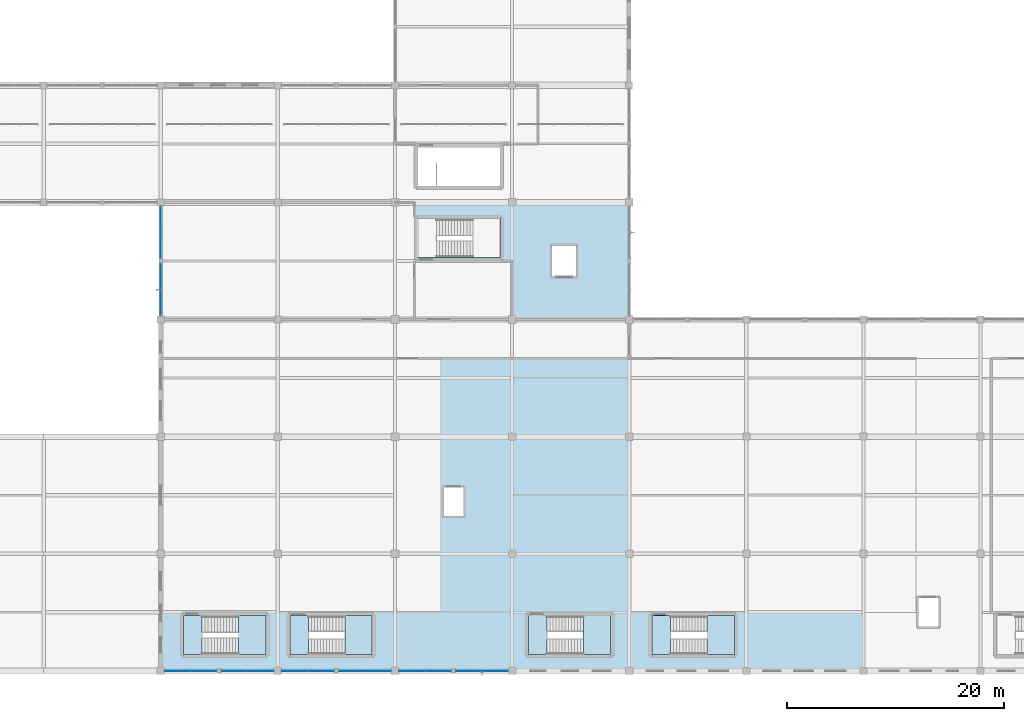
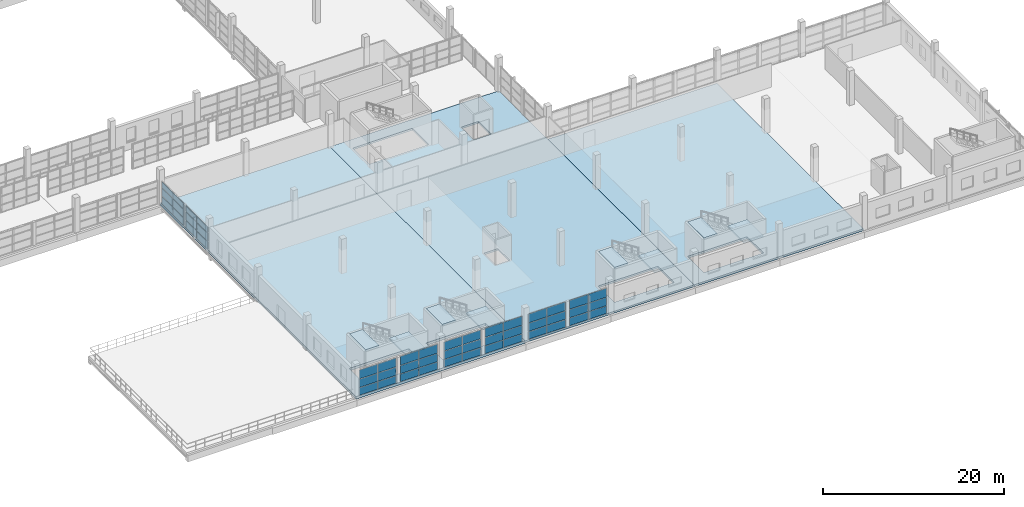
# One storey, part 95 of 142: 48 plates, 11 slabs, 12 elements without a shape of their own.
"""IFC4 building model written with IfcOpenShell, lengths in metres."""

from ifc_helpers import new_model, si_unit, direction, frame, origin, origin_2d, place, context, subcontext, project, spatial, polyline, rectangle, outline, extrude, material, layer, layer_set, type_object, element, aggregate, save


model = new_model("IFC4")

# Units and contexts
model_context = context("Model", 3, precision=1e-05, world=origin(), true_north=direction((0.0, 1.0)))
body_context = subcontext(model_context, "Body", "Model", "MODEL_VIEW")
ifc_project = project(units=[si_unit("LENGTHUNIT", "METRE"), si_unit("AREAUNIT", "SQUARE_METRE"), si_unit("VOLUMEUNIT", "CUBIC_METRE"), si_unit("PLANEANGLEUNIT", "RADIAN"), si_unit("MASSUNIT", "GRAM", prefix="KILO")], contexts=[model_context])

# Site, building, storey
site_placement = place(None, origin())
site = spatial("IfcSite", under=ifc_project, at=site_placement, CompositionType="ELEMENT")
building_placement = place(site_placement, origin())
building = spatial("IfcBuilding", under=site, at=building_placement, Name="Zwinboog Wholesale Market", CompositionType="ELEMENT")
storey_placement = place(building_placement, frame((0.0, 0.0, 5.39990234375)))
storey = spatial("IfcBuildingStorey", under=building, at=storey_placement, Name="L01", CompositionType="ELEMENT", Elevation=5.39990234375)

# Slabs
ifc_material_1 = material(Name="Precast concrete C45/55", Category="concrete")
ifc_layer_1 = layer(ifc_material_1, 0.2548828125)
ifc_layer_set_1 = layer_set([ifc_layer_1], Name="Precast concrete C45/55")
slab_type_1 = type_object("IfcSlabType", Name="SLT-FL-255", PredefinedType="FLOOR", material=ifc_layer_set_1)
slab_1_placement = place(storey_placement, frame((0.0, 0.0, -0.2548828125)))
element("IfcSlab", 1, at=slab_1_placement, inside=storey, type_object=slab_type_1, Name="SF-255 (SLB-L01-051)", PredefinedType="FLOOR", context=body_context, shape_type="SweptSolid", body=[
    extrude(outline(polyline([(151.199951171875, 0.0), (172.800048828125, 0.0), (172.800048828125, 43.199951171875), (151.199951171875, 43.199951171875), (151.199951171875, 0.0)]), holes=[polyline([(163.5, 1.5), (171.10009765625, 1.5), (171.10009765625, 5.10009765625), (163.5, 5.10009765625), (163.5, 1.5)]), polyline([(153.300048828125, 38.10009765625), (160.89990234375, 38.10009765625), (160.89990234375, 41.699951171875), (153.300048828125, 41.699951171875), (153.300048828125, 38.10009765625)]), polyline([(155.699951171875, 14.300048828125), (157.5, 14.300048828125), (157.5, 16.89990234375), (155.699951171875, 16.89990234375), (155.699951171875, 14.300048828125)]), polyline([(165.699951171875, 36.39990234375), (167.89990234375, 36.39990234375), (167.89990234375, 39.199951171875), (165.699951171875, 39.199951171875), (165.699951171875, 36.39990234375)])]), origin(), (0.0, 0.0, 1.0), 0.2548828125),
])
ifc_layer_2 = layer(ifc_material_1, 0.280029296875)
ifc_layer_set_2 = layer_set([ifc_layer_2], Name="Precast concrete C45/55")
slab_type_2 = type_object("IfcSlabType", Name="SLT-FL-280", PredefinedType="FLOOR", material=ifc_layer_set_2)
slab_2_placement = place(storey_placement, frame((0.0, 0.0, -0.27978515625)))
element("IfcSlab", 2, at=slab_2_placement, inside=storey, type_object=slab_type_2, Name="SF-280 (SLB-L01-048)", PredefinedType="FLOOR", context=body_context, shape_type="SweptSolid", body=[
    extrude(outline(polyline([(172.800048828125, 0.0), (194.39990234375, 0.0), (194.39990234375, 32.39990234375), (172.800048828125, 32.39990234375), (172.800048828125, 0.0)]), holes=[polyline([(174.89990234375, 1.5), (182.5, 1.5), (182.5, 5.10009765625), (174.89990234375, 5.10009765625), (174.89990234375, 1.5)])]), origin(), (0.0, 0.0, 1.0), 0.27978515625),
])
ifc_layer_3 = layer(ifc_material_1, 0.33203125)
ifc_layer_set_3 = layer_set([ifc_layer_3], Name="Precast concrete C45/55")
slab_type_3 = type_object("IfcSlabType", Name="SLT-FL-332", PredefinedType="FLOOR", material=ifc_layer_set_3)
slab_3_placement = place(storey_placement, frame((0.0, 0.0, -0.331787109375)))
element("IfcSlab", 3, at=slab_3_placement, inside=storey, type_object=slab_type_3, Name="SF-332 (SLB-L01-050)", PredefinedType="FLOOR", context=body_context, shape_type="SweptSolid", body=[
    extrude(outline(polyline([(129.60009765625, 0.0), (151.199951171875, 0.0), (151.199951171875, 43.199951171875), (129.60009765625, 43.199951171875), (129.60009765625, 0.0)]), holes=[polyline([(131.699951171875, 1.5), (139.300048828125, 1.5), (139.300048828125, 5.10009765625), (131.699951171875, 5.10009765625), (131.699951171875, 1.5)]), polyline([(141.5, 1.5), (149.10009765625, 1.5), (149.10009765625, 5.10009765625), (141.5, 5.10009765625), (141.5, 1.5)])]), origin(), (0.0, 0.0, 1.0), 0.331787109375),
])

# Curtain wall, plates
ifc_material_2 = material(Name="Aluminium thermally broken curtain wall", Category="aluminium")
curtain_wall_type_1 = type_object("IfcCurtainWallType", Name="CWT-STALL-18", PredefinedType="USERDEFINED", material=ifc_material_2)
curtain_wall_1_placement = place(storey_placement, origin())
curtain_wall_1 = element("IfcCurtainWall", 4, at=curtain_wall_1_placement, inside=storey, type_object=curtain_wall_type_1, Name="CW-01 (CW-L01-115)", ObjectType="STOREFRONT_GLAZING", PredefinedType="USERDEFINED")
ifc_material_3 = material(Name="Double low-e insulated glazing", Category="glass")
ifc_layer_4 = layer(ifc_material_3, 0.031982421875)
ifc_layer_set_4 = layer_set([ifc_layer_4], Name="Double low-e insulated glazing")
plate_type = type_object("IfcPlateType", Name="CWP-IGU-32", PredefinedType="CURTAIN_PANEL", material=ifc_layer_set_4)
plate_1_placement = place(storey_placement, frame((131.175048828125, 0.0, 0.065185546875), z_axis=(0.0, 0.0, 1.0), x_axis=(1.0, 0.0, 0.0)))
plate_1 = element("IfcPlate", 5, at=plate_1_placement, type_object=plate_type, Name="CW-01 panel 1.1", PredefinedType="CURTAIN_PANEL", context=body_context, shape_type="SweptSolid", body=[
    extrude(rectangle(XDim=2.330078125, YDim=0.031982421875, at=origin_2d()), origin(), (0.0, 0.0, 1.0), 1.00244140625),
])
plate_2_placement = place(storey_placement, frame((131.175048828125, 0.0, 1.132568359375), z_axis=(0.0, 0.0, 1.0), x_axis=(1.0, 0.0, 0.0)))
plate_2 = element("IfcPlate", 6, at=plate_2_placement, type_object=plate_type, Name="CW-01 panel 1.2", PredefinedType="CURTAIN_PANEL", context=body_context, shape_type="SweptSolid", body=[
    extrude(rectangle(XDim=2.330078125, YDim=0.031982421875, at=origin_2d()), origin(), (0.0, 0.0, 1.0), 1.0849609375),
])
plate_3_placement = place(storey_placement, frame((131.175048828125, 0.0, 2.282470703125), z_axis=(0.0, 0.0, 1.0), x_axis=(1.0, 0.0, 0.0)))
plate_3 = element("IfcPlate", 7, at=plate_3_placement, type_object=plate_type, Name="CW-01 panel 1.3", PredefinedType="CURTAIN_PANEL", context=body_context, shape_type="SweptSolid", body=[
    extrude(rectangle(XDim=2.330078125, YDim=0.031982421875, at=origin_2d()), origin(), (0.0, 0.0, 1.0), 1.1826171875),
])
plate_4_placement = place(storey_placement, frame((133.570068359375, 0.0, 0.065185546875), z_axis=(0.0, 0.0, 1.0), x_axis=(1.0, 0.0, 0.0)))
plate_4 = element("IfcPlate", 8, at=plate_4_placement, type_object=plate_type, Name="CW-01 panel 2.1", PredefinedType="CURTAIN_PANEL", context=body_context, shape_type="SweptSolid", body=[
    extrude(rectangle(XDim=2.330078125, YDim=0.031982421875, at=origin_2d()), origin(), (0.0, 0.0, 1.0), 1.00244140625),
])
plate_5_placement = place(storey_placement, frame((133.570068359375, 0.0, 1.132568359375), z_axis=(0.0, 0.0, 1.0), x_axis=(1.0, 0.0, 0.0)))
plate_5 = element("IfcPlate", 9, at=plate_5_placement, type_object=plate_type, Name="CW-01 panel 2.2", PredefinedType="CURTAIN_PANEL", context=body_context, shape_type="SweptSolid", body=[
    extrude(rectangle(XDim=2.330078125, YDim=0.031982421875, at=origin_2d()), origin(), (0.0, 0.0, 1.0), 1.0849609375),
])
plate_6_placement = place(storey_placement, frame((133.570068359375, 0.0, 2.282470703125), z_axis=(0.0, 0.0, 1.0), x_axis=(1.0, 0.0, 0.0)))
plate_6 = element("IfcPlate", 10, at=plate_6_placement, type_object=plate_type, Name="CW-01 panel 2.3", PredefinedType="CURTAIN_PANEL", context=body_context, shape_type="SweptSolid", body=[
    extrude(rectangle(XDim=2.330078125, YDim=0.031982421875, at=origin_2d()), origin(), (0.0, 0.0, 1.0), 1.1826171875),
])
aggregate(curtain_wall_1, [plate_1, plate_2, plate_3, plate_4, plate_5, plate_6])

curtain_wall_type_2 = type_object("IfcCurtainWallType", Name="CWT-STALL-20", PredefinedType="USERDEFINED", material=ifc_material_2)
curtain_wall_2_placement = place(storey_placement, origin())
curtain_wall_2 = element("IfcCurtainWall", 11, at=curtain_wall_2_placement, inside=storey, type_object=curtain_wall_type_2, Name="CW-02 (CW-L01-116)", ObjectType="STOREFRONT_GLAZING", PredefinedType="USERDEFINED")
plate_7_placement = place(storey_placement, frame((136.4287109375, 0.0, 0.06005859375), z_axis=(0.0, 0.0, 1.0), x_axis=(1.0, 0.0, 0.0)))
plate_7 = element("IfcPlate", 12, at=plate_7_placement, type_object=plate_type, Name="CW-02 panel 1.1", PredefinedType="CURTAIN_PANEL", context=body_context, shape_type="SweptSolid", body=[
    extrude(rectangle(XDim=2.33740234375, YDim=0.031982421875, at=origin_2d()), origin(), (0.0, 0.0, 1.0), 1.010009765625),
])
plate_8_placement = place(storey_placement, frame((136.4287109375, 0.0, 1.1298828125), z_axis=(0.0, 0.0, 1.0), x_axis=(1.0, 0.0, 0.0)))
plate_8 = element("IfcPlate", 13, at=plate_8_placement, type_object=plate_type, Name="CW-02 panel 1.2", PredefinedType="CURTAIN_PANEL", context=body_context, shape_type="SweptSolid", body=[
    extrude(rectangle(XDim=2.33740234375, YDim=0.031982421875, at=origin_2d()), origin(), (0.0, 0.0, 1.0), 1.090087890625),
])
plate_9_placement = place(storey_placement, frame((136.4287109375, 0.0, 2.280029296875), z_axis=(0.0, 0.0, 1.0), x_axis=(1.0, 0.0, 0.0)))
plate_9 = element("IfcPlate", 14, at=plate_9_placement, type_object=plate_type, Name="CW-02 panel 1.3", PredefinedType="CURTAIN_PANEL", context=body_context, shape_type="SweptSolid", body=[
    extrude(rectangle(XDim=2.33740234375, YDim=0.031982421875, at=origin_2d()), origin(), (0.0, 0.0, 1.0), 1.18994140625),
])
plate_10_placement = place(storey_placement, frame((138.826171875, 0.0, 0.06005859375), z_axis=(0.0, 0.0, 1.0), x_axis=(1.0, 0.0, 0.0)))
plate_10 = element("IfcPlate", 15, at=plate_10_placement, type_object=plate_type, Name="CW-02 panel 2.1", PredefinedType="CURTAIN_PANEL", context=body_context, shape_type="SweptSolid", body=[
    extrude(rectangle(XDim=2.33740234375, YDim=0.031982421875, at=origin_2d()), origin(), (0.0, 0.0, 1.0), 1.010009765625),
])
plate_11_placement = place(storey_placement, frame((138.826171875, 0.0, 1.1298828125), z_axis=(0.0, 0.0, 1.0), x_axis=(1.0, 0.0, 0.0)))
plate_11 = element("IfcPlate", 16, at=plate_11_placement, type_object=plate_type, Name="CW-02 panel 2.2", PredefinedType="CURTAIN_PANEL", context=body_context, shape_type="SweptSolid", body=[
    extrude(rectangle(XDim=2.33740234375, YDim=0.031982421875, at=origin_2d()), origin(), (0.0, 0.0, 1.0), 1.090087890625),
])
plate_12_placement = place(storey_placement, frame((138.826171875, 0.0, 2.280029296875), z_axis=(0.0, 0.0, 1.0), x_axis=(1.0, 0.0, 0.0)))
plate_12 = element("IfcPlate", 17, at=plate_12_placement, type_object=plate_type, Name="CW-02 panel 2.3", PredefinedType="CURTAIN_PANEL", context=body_context, shape_type="SweptSolid", body=[
    extrude(rectangle(XDim=2.33740234375, YDim=0.031982421875, at=origin_2d()), origin(), (0.0, 0.0, 1.0), 1.18994140625),
])
aggregate(curtain_wall_2, [plate_7, plate_8, plate_9, plate_10, plate_11, plate_12])

curtain_wall_type_3 = type_object("IfcCurtainWallType", Name="CWT-HALL-24", PredefinedType="USERDEFINED", material=ifc_material_2)
curtain_wall_3_placement = place(storey_placement, origin())
curtain_wall_3 = element("IfcCurtainWall", 18, at=curtain_wall_3_placement, inside=storey, type_object=curtain_wall_type_3, Name="CW-03 (CW-L01-117)", ObjectType="UNITIZED_CURTAIN_WALL", PredefinedType="USERDEFINED")
plate_13_placement = place(storey_placement, frame((129.60009765625, 33.956298828125, 0.065185546875), z_axis=(0.0, 0.0, 1.0), x_axis=(0.0, 1.0, 0.0)))
plate_13 = element("IfcPlate", 19, at=plate_13_placement, type_object=plate_type, Name="CW-03 panel 1.1", PredefinedType="CURTAIN_PANEL", context=body_context, shape_type="SweptSolid", body=[
    extrude(rectangle(XDim=2.342529296875, YDim=0.031982421875, at=origin_2d()), origin(), (0.0, 0.0, 1.0), 1.00244140625),
])
plate_14_placement = place(storey_placement, frame((129.60009765625, 33.956298828125, 1.132568359375), z_axis=(0.0, 0.0, 1.0), x_axis=(0.0, 1.0, 0.0)))
plate_14 = element("IfcPlate", 20, at=plate_14_placement, type_object=plate_type, Name="CW-03 panel 1.2", PredefinedType="CURTAIN_PANEL", context=body_context, shape_type="SweptSolid", body=[
    extrude(rectangle(XDim=2.342529296875, YDim=0.031982421875, at=origin_2d()), origin(), (0.0, 0.0, 1.0), 1.0849609375),
])
plate_15_placement = place(storey_placement, frame((129.60009765625, 33.956298828125, 2.28271484375), z_axis=(0.0, 0.0, 1.0), x_axis=(0.0, 1.0, 0.0)))
plate_15 = element("IfcPlate", 21, at=plate_15_placement, type_object=plate_type, Name="CW-03 panel 1.3", PredefinedType="CURTAIN_PANEL", context=body_context, shape_type="SweptSolid", body=[
    extrude(rectangle(XDim=2.342529296875, YDim=0.031982421875, at=origin_2d()), origin(), (0.0, 0.0, 1.0), 0.7724609375),
])
plate_16_placement = place(storey_placement, frame((129.60009765625, 36.36376953125, 0.065185546875), z_axis=(0.0, 0.0, 1.0), x_axis=(0.0, 1.0, 0.0)))
plate_16 = element("IfcPlate", 22, at=plate_16_placement, type_object=plate_type, Name="CW-03 panel 2.1", PredefinedType="CURTAIN_PANEL", context=body_context, shape_type="SweptSolid", body=[
    extrude(rectangle(XDim=2.342529296875, YDim=0.031982421875, at=origin_2d()), origin(), (0.0, 0.0, 1.0), 1.00244140625),
])
plate_17_placement = place(storey_placement, frame((129.60009765625, 36.36376953125, 1.132568359375), z_axis=(0.0, 0.0, 1.0), x_axis=(0.0, 1.0, 0.0)))
plate_17 = element("IfcPlate", 23, at=plate_17_placement, type_object=plate_type, Name="CW-03 panel 2.2", PredefinedType="CURTAIN_PANEL", context=body_context, shape_type="SweptSolid", body=[
    extrude(rectangle(XDim=2.342529296875, YDim=0.031982421875, at=origin_2d()), origin(), (0.0, 0.0, 1.0), 1.0849609375),
])
plate_18_placement = place(storey_placement, frame((129.60009765625, 36.36376953125, 2.28271484375), z_axis=(0.0, 0.0, 1.0), x_axis=(0.0, 1.0, 0.0)))
plate_18 = element("IfcPlate", 24, at=plate_18_placement, type_object=plate_type, Name="CW-03 panel 2.3", PredefinedType="CURTAIN_PANEL", context=body_context, shape_type="SweptSolid", body=[
    extrude(rectangle(XDim=2.342529296875, YDim=0.031982421875, at=origin_2d()), origin(), (0.0, 0.0, 1.0), 0.7724609375),
])
aggregate(curtain_wall_3, [plate_13, plate_14, plate_15, plate_16, plate_17, plate_18])

curtain_wall_type_4 = type_object("IfcCurtainWallType", Name="CWT-GAL-16", PredefinedType="USERDEFINED", material=ifc_material_2)
curtain_wall_4_placement = place(storey_placement, origin())
curtain_wall_4 = element("IfcCurtainWall", 25, at=curtain_wall_4_placement, inside=storey, type_object=curtain_wall_type_4, Name="CW-04 (CW-L01-118)", ObjectType="UNITIZED_CURTAIN_WALL", PredefinedType="USERDEFINED")
plate_19_placement = place(storey_placement, frame((129.60009765625, 39.235107421875, 0.06005859375), z_axis=(0.0, 0.0, 1.0), x_axis=(0.0, 1.0, 0.0)))
plate_19 = element("IfcPlate", 26, at=plate_19_placement, type_object=plate_type, Name="CW-04 panel 1.1", PredefinedType="CURTAIN_PANEL", context=body_context, shape_type="SweptSolid", body=[
    extrude(rectangle(XDim=2.35009765625, YDim=0.031982421875, at=origin_2d()), origin(), (0.0, 0.0, 1.0), 1.010009765625),
])
plate_20_placement = place(storey_placement, frame((129.60009765625, 39.235107421875, 1.1298828125), z_axis=(0.0, 0.0, 1.0), x_axis=(0.0, 1.0, 0.0)))
plate_20 = element("IfcPlate", 27, at=plate_20_placement, type_object=plate_type, Name="CW-04 panel 1.2", PredefinedType="CURTAIN_PANEL", context=body_context, shape_type="SweptSolid", body=[
    extrude(rectangle(XDim=2.35009765625, YDim=0.031982421875, at=origin_2d()), origin(), (0.0, 0.0, 1.0), 1.090087890625),
])
plate_21_placement = place(storey_placement, frame((129.60009765625, 39.235107421875, 2.2802734375), z_axis=(0.0, 0.0, 1.0), x_axis=(0.0, 1.0, 0.0)))
plate_21 = element("IfcPlate", 28, at=plate_21_placement, type_object=plate_type, Name="CW-04 panel 1.3", PredefinedType="CURTAIN_PANEL", context=body_context, shape_type="SweptSolid", body=[
    extrude(rectangle(XDim=2.35009765625, YDim=0.031982421875, at=origin_2d()), origin(), (0.0, 0.0, 1.0), 0.780029296875),
])
plate_22_placement = place(storey_placement, frame((129.60009765625, 41.64501953125, 0.06005859375), z_axis=(0.0, 0.0, 1.0), x_axis=(0.0, 1.0, 0.0)))
plate_22 = element("IfcPlate", 29, at=plate_22_placement, type_object=plate_type, Name="CW-04 panel 2.1", PredefinedType="CURTAIN_PANEL", context=body_context, shape_type="SweptSolid", body=[
    extrude(rectangle(XDim=2.35009765625, YDim=0.031982421875, at=origin_2d()), origin(), (0.0, 0.0, 1.0), 1.010009765625),
])
plate_23_placement = place(storey_placement, frame((129.60009765625, 41.64501953125, 1.1298828125), z_axis=(0.0, 0.0, 1.0), x_axis=(0.0, 1.0, 0.0)))
plate_23 = element("IfcPlate", 30, at=plate_23_placement, type_object=plate_type, Name="CW-04 panel 2.2", PredefinedType="CURTAIN_PANEL", context=body_context, shape_type="SweptSolid", body=[
    extrude(rectangle(XDim=2.35009765625, YDim=0.031982421875, at=origin_2d()), origin(), (0.0, 0.0, 1.0), 1.090087890625),
])
plate_24_placement = place(storey_placement, frame((129.60009765625, 41.64501953125, 2.2802734375), z_axis=(0.0, 0.0, 1.0), x_axis=(0.0, 1.0, 0.0)))
plate_24 = element("IfcPlate", 31, at=plate_24_placement, type_object=plate_type, Name="CW-04 panel 2.3", PredefinedType="CURTAIN_PANEL", context=body_context, shape_type="SweptSolid", body=[
    extrude(rectangle(XDim=2.35009765625, YDim=0.031982421875, at=origin_2d()), origin(), (0.0, 0.0, 1.0), 0.780029296875),
])
aggregate(curtain_wall_4, [plate_19, plate_20, plate_21, plate_22, plate_23, plate_24])

curtain_wall_5_placement = place(storey_placement, origin())
curtain_wall_5 = element("IfcCurtainWall", 32, at=curtain_wall_5_placement, inside=storey, type_object=curtain_wall_type_1, Name="CW-01 (CW-L01-121)", ObjectType="STOREFRONT_GLAZING", PredefinedType="USERDEFINED")
plate_25_placement = place(storey_placement, frame((141.97509765625, 0.0, 0.065185546875), z_axis=(0.0, 0.0, 1.0), x_axis=(1.0, 0.0, 0.0)))
plate_25 = element("IfcPlate", 33, at=plate_25_placement, type_object=plate_type, Name="CW-01 panel 1.1", PredefinedType="CURTAIN_PANEL", context=body_context, shape_type="SweptSolid", body=[
    extrude(rectangle(XDim=2.330078125, YDim=0.031982421875, at=origin_2d()), origin(), (0.0, 0.0, 1.0), 1.00244140625),
])
plate_26_placement = place(storey_placement, frame((141.97509765625, 0.0, 1.132568359375), z_axis=(0.0, 0.0, 1.0), x_axis=(1.0, 0.0, 0.0)))
plate_26 = element("IfcPlate", 34, at=plate_26_placement, type_object=plate_type, Name="CW-01 panel 1.2", PredefinedType="CURTAIN_PANEL", context=body_context, shape_type="SweptSolid", body=[
    extrude(rectangle(XDim=2.330078125, YDim=0.031982421875, at=origin_2d()), origin(), (0.0, 0.0, 1.0), 1.0849609375),
])
plate_27_placement = place(storey_placement, frame((141.97509765625, 0.0, 2.282470703125), z_axis=(0.0, 0.0, 1.0), x_axis=(1.0, 0.0, 0.0)))
plate_27 = element("IfcPlate", 35, at=plate_27_placement, type_object=plate_type, Name="CW-01 panel 1.3", PredefinedType="CURTAIN_PANEL", context=body_context, shape_type="SweptSolid", body=[
    extrude(rectangle(XDim=2.330078125, YDim=0.031982421875, at=origin_2d()), origin(), (0.0, 0.0, 1.0), 1.1826171875),
])
plate_28_placement = place(storey_placement, frame((144.3701171875, 0.0, 0.065185546875), z_axis=(0.0, 0.0, 1.0), x_axis=(1.0, 0.0, 0.0)))
plate_28 = element("IfcPlate", 36, at=plate_28_placement, type_object=plate_type, Name="CW-01 panel 2.1", PredefinedType="CURTAIN_PANEL", context=body_context, shape_type="SweptSolid", body=[
    extrude(rectangle(XDim=2.330078125, YDim=0.031982421875, at=origin_2d()), origin(), (0.0, 0.0, 1.0), 1.00244140625),
])
plate_29_placement = place(storey_placement, frame((144.3701171875, 0.0, 1.132568359375), z_axis=(0.0, 0.0, 1.0), x_axis=(1.0, 0.0, 0.0)))
plate_29 = element("IfcPlate", 37, at=plate_29_placement, type_object=plate_type, Name="CW-01 panel 2.2", PredefinedType="CURTAIN_PANEL", context=body_context, shape_type="SweptSolid", body=[
    extrude(rectangle(XDim=2.330078125, YDim=0.031982421875, at=origin_2d()), origin(), (0.0, 0.0, 1.0), 1.0849609375),
])
plate_30_placement = place(storey_placement, frame((144.3701171875, 0.0, 2.282470703125), z_axis=(0.0, 0.0, 1.0), x_axis=(1.0, 0.0, 0.0)))
plate_30 = element("IfcPlate", 38, at=plate_30_placement, type_object=plate_type, Name="CW-01 panel 2.3", PredefinedType="CURTAIN_PANEL", context=body_context, shape_type="SweptSolid", body=[
    extrude(rectangle(XDim=2.330078125, YDim=0.031982421875, at=origin_2d()), origin(), (0.0, 0.0, 1.0), 1.1826171875),
])
aggregate(curtain_wall_5, [plate_25, plate_26, plate_27, plate_28, plate_29, plate_30])

curtain_wall_6_placement = place(storey_placement, origin())
curtain_wall_6 = element("IfcCurtainWall", 39, at=curtain_wall_6_placement, inside=storey, type_object=curtain_wall_type_2, Name="CW-02 (CW-L01-122)", ObjectType="STOREFRONT_GLAZING", PredefinedType="USERDEFINED")
plate_31_placement = place(storey_placement, frame((147.228759765625, 0.0, 0.06005859375), z_axis=(0.0, 0.0, 1.0), x_axis=(1.0, 0.0, 0.0)))
plate_31 = element("IfcPlate", 40, at=plate_31_placement, type_object=plate_type, Name="CW-02 panel 1.1", PredefinedType="CURTAIN_PANEL", context=body_context, shape_type="SweptSolid", body=[
    extrude(rectangle(XDim=2.33740234375, YDim=0.031982421875, at=origin_2d()), origin(), (0.0, 0.0, 1.0), 1.010009765625),
])
plate_32_placement = place(storey_placement, frame((147.228759765625, 0.0, 1.1298828125), z_axis=(0.0, 0.0, 1.0), x_axis=(1.0, 0.0, 0.0)))
plate_32 = element("IfcPlate", 41, at=plate_32_placement, type_object=plate_type, Name="CW-02 panel 1.2", PredefinedType="CURTAIN_PANEL", context=body_context, shape_type="SweptSolid", body=[
    extrude(rectangle(XDim=2.33740234375, YDim=0.031982421875, at=origin_2d()), origin(), (0.0, 0.0, 1.0), 1.090087890625),
])
plate_33_placement = place(storey_placement, frame((147.228759765625, 0.0, 2.280029296875), z_axis=(0.0, 0.0, 1.0), x_axis=(1.0, 0.0, 0.0)))
plate_33 = element("IfcPlate", 42, at=plate_33_placement, type_object=plate_type, Name="CW-02 panel 1.3", PredefinedType="CURTAIN_PANEL", context=body_context, shape_type="SweptSolid", body=[
    extrude(rectangle(XDim=2.33740234375, YDim=0.031982421875, at=origin_2d()), origin(), (0.0, 0.0, 1.0), 1.18994140625),
])
plate_34_placement = place(storey_placement, frame((149.626220703125, 0.0, 0.06005859375), z_axis=(0.0, 0.0, 1.0), x_axis=(1.0, 0.0, 0.0)))
plate_34 = element("IfcPlate", 43, at=plate_34_placement, type_object=plate_type, Name="CW-02 panel 2.1", PredefinedType="CURTAIN_PANEL", context=body_context, shape_type="SweptSolid", body=[
    extrude(rectangle(XDim=2.33740234375, YDim=0.031982421875, at=origin_2d()), origin(), (0.0, 0.0, 1.0), 1.010009765625),
])
plate_35_placement = place(storey_placement, frame((149.626220703125, 0.0, 1.1298828125), z_axis=(0.0, 0.0, 1.0), x_axis=(1.0, 0.0, 0.0)))
plate_35 = element("IfcPlate", 44, at=plate_35_placement, type_object=plate_type, Name="CW-02 panel 2.2", PredefinedType="CURTAIN_PANEL", context=body_context, shape_type="SweptSolid", body=[
    extrude(rectangle(XDim=2.33740234375, YDim=0.031982421875, at=origin_2d()), origin(), (0.0, 0.0, 1.0), 1.090087890625),
])
plate_36_placement = place(storey_placement, frame((149.626220703125, 0.0, 2.280029296875), z_axis=(0.0, 0.0, 1.0), x_axis=(1.0, 0.0, 0.0)))
plate_36 = element("IfcPlate", 45, at=plate_36_placement, type_object=plate_type, Name="CW-02 panel 2.3", PredefinedType="CURTAIN_PANEL", context=body_context, shape_type="SweptSolid", body=[
    extrude(rectangle(XDim=2.33740234375, YDim=0.031982421875, at=origin_2d()), origin(), (0.0, 0.0, 1.0), 1.18994140625),
])
aggregate(curtain_wall_6, [plate_31, plate_32, plate_33, plate_34, plate_35, plate_36])

curtain_wall_type_5 = type_object("IfcCurtainWallType", Name="CWT-CAFE-22", PredefinedType="USERDEFINED", material=ifc_material_2)
curtain_wall_7_placement = place(storey_placement, origin())
curtain_wall_7 = element("IfcCurtainWall", 46, at=curtain_wall_7_placement, inside=storey, type_object=curtain_wall_type_5, Name="CW-05 (CW-L01-125)", ObjectType="STOREFRONT_GLAZING", PredefinedType="USERDEFINED")
plate_37_placement = place(storey_placement, frame((152.77490234375, 0.0, 0.065185546875), z_axis=(0.0, 0.0, 1.0), x_axis=(1.0, 0.0, 0.0)))
plate_37 = element("IfcPlate", 47, at=plate_37_placement, type_object=plate_type, Name="CW-05 panel 1.1", PredefinedType="CURTAIN_PANEL", context=body_context, shape_type="SweptSolid", body=[
    extrude(rectangle(XDim=2.330078125, YDim=0.031982421875, at=origin_2d()), origin(), (0.0, 0.0, 1.0), 1.00244140625),
])
plate_38_placement = place(storey_placement, frame((152.77490234375, 0.0, 1.132568359375), z_axis=(0.0, 0.0, 1.0), x_axis=(1.0, 0.0, 0.0)))
plate_38 = element("IfcPlate", 48, at=plate_38_placement, type_object=plate_type, Name="CW-05 panel 1.2", PredefinedType="CURTAIN_PANEL", context=body_context, shape_type="SweptSolid", body=[
    extrude(rectangle(XDim=2.330078125, YDim=0.031982421875, at=origin_2d()), origin(), (0.0, 0.0, 1.0), 1.0849609375),
])
plate_39_placement = place(storey_placement, frame((152.77490234375, 0.0, 2.282470703125), z_axis=(0.0, 0.0, 1.0), x_axis=(1.0, 0.0, 0.0)))
plate_39 = element("IfcPlate", 49, at=plate_39_placement, type_object=plate_type, Name="CW-05 panel 1.3", PredefinedType="CURTAIN_PANEL", context=body_context, shape_type="SweptSolid", body=[
    extrude(rectangle(XDim=2.330078125, YDim=0.031982421875, at=origin_2d()), origin(), (0.0, 0.0, 1.0), 1.1826171875),
])
plate_40_placement = place(storey_placement, frame((155.169921875, 0.0, 0.065185546875), z_axis=(0.0, 0.0, 1.0), x_axis=(1.0, 0.0, 0.0)))
plate_40 = element("IfcPlate", 50, at=plate_40_placement, type_object=plate_type, Name="CW-05 panel 2.1", PredefinedType="CURTAIN_PANEL", context=body_context, shape_type="SweptSolid", body=[
    extrude(rectangle(XDim=2.330078125, YDim=0.031982421875, at=origin_2d()), origin(), (0.0, 0.0, 1.0), 1.00244140625),
])
plate_41_placement = place(storey_placement, frame((155.169921875, 0.0, 1.132568359375), z_axis=(0.0, 0.0, 1.0), x_axis=(1.0, 0.0, 0.0)))
plate_41 = element("IfcPlate", 51, at=plate_41_placement, type_object=plate_type, Name="CW-05 panel 2.2", PredefinedType="CURTAIN_PANEL", context=body_context, shape_type="SweptSolid", body=[
    extrude(rectangle(XDim=2.330078125, YDim=0.031982421875, at=origin_2d()), origin(), (0.0, 0.0, 1.0), 1.0849609375),
])
plate_42_placement = place(storey_placement, frame((155.169921875, 0.0, 2.282470703125), z_axis=(0.0, 0.0, 1.0), x_axis=(1.0, 0.0, 0.0)))
plate_42 = element("IfcPlate", 52, at=plate_42_placement, type_object=plate_type, Name="CW-05 panel 2.3", PredefinedType="CURTAIN_PANEL", context=body_context, shape_type="SweptSolid", body=[
    extrude(rectangle(XDim=2.330078125, YDim=0.031982421875, at=origin_2d()), origin(), (0.0, 0.0, 1.0), 1.1826171875),
])
aggregate(curtain_wall_7, [plate_37, plate_38, plate_39, plate_40, plate_41, plate_42])

curtain_wall_type_6 = type_object("IfcCurtainWallType", Name="CWT-OFF-15", PredefinedType="USERDEFINED", material=ifc_material_2)
curtain_wall_8_placement = place(storey_placement, origin())
curtain_wall_8 = element("IfcCurtainWall", 53, at=curtain_wall_8_placement, inside=storey, type_object=curtain_wall_type_6, Name="CW-06 (CW-L01-126)", ObjectType="UNITIZED_CURTAIN_WALL", PredefinedType="USERDEFINED")
plate_43_placement = place(storey_placement, frame((158.02880859375, 0.0, 0.06005859375), z_axis=(0.0, 0.0, 1.0), x_axis=(1.0, 0.0, 0.0)))
plate_43 = element("IfcPlate", 54, at=plate_43_placement, type_object=plate_type, Name="CW-06 panel 1.1", PredefinedType="CURTAIN_PANEL", context=body_context, shape_type="SweptSolid", body=[
    extrude(rectangle(XDim=2.33740234375, YDim=0.031982421875, at=origin_2d()), origin(), (0.0, 0.0, 1.0), 1.010009765625),
])
plate_44_placement = place(storey_placement, frame((158.02880859375, 0.0, 1.1298828125), z_axis=(0.0, 0.0, 1.0), x_axis=(1.0, 0.0, 0.0)))
plate_44 = element("IfcPlate", 55, at=plate_44_placement, type_object=plate_type, Name="CW-06 panel 1.2", PredefinedType="CURTAIN_PANEL", context=body_context, shape_type="SweptSolid", body=[
    extrude(rectangle(XDim=2.33740234375, YDim=0.031982421875, at=origin_2d()), origin(), (0.0, 0.0, 1.0), 1.090087890625),
])
plate_45_placement = place(storey_placement, frame((158.02880859375, 0.0, 2.280029296875), z_axis=(0.0, 0.0, 1.0), x_axis=(1.0, 0.0, 0.0)))
plate_45 = element("IfcPlate", 56, at=plate_45_placement, type_object=plate_type, Name="CW-06 panel 1.3", PredefinedType="CURTAIN_PANEL", context=body_context, shape_type="SweptSolid", body=[
    extrude(rectangle(XDim=2.33740234375, YDim=0.031982421875, at=origin_2d()), origin(), (0.0, 0.0, 1.0), 1.18994140625),
])
plate_46_placement = place(storey_placement, frame((160.42626953125, 0.0, 0.06005859375), z_axis=(0.0, 0.0, 1.0), x_axis=(1.0, 0.0, 0.0)))
plate_46 = element("IfcPlate", 57, at=plate_46_placement, type_object=plate_type, Name="CW-06 panel 2.1", PredefinedType="CURTAIN_PANEL", context=body_context, shape_type="SweptSolid", body=[
    extrude(rectangle(XDim=2.33740234375, YDim=0.031982421875, at=origin_2d()), origin(), (0.0, 0.0, 1.0), 1.010009765625),
])
plate_47_placement = place(storey_placement, frame((160.42626953125, 0.0, 1.1298828125), z_axis=(0.0, 0.0, 1.0), x_axis=(1.0, 0.0, 0.0)))
plate_47 = element("IfcPlate", 58, at=plate_47_placement, type_object=plate_type, Name="CW-06 panel 2.2", PredefinedType="CURTAIN_PANEL", context=body_context, shape_type="SweptSolid", body=[
    extrude(rectangle(XDim=2.33740234375, YDim=0.031982421875, at=origin_2d()), origin(), (0.0, 0.0, 1.0), 1.090087890625),
])
plate_48_placement = place(storey_placement, frame((160.42626953125, 0.0, 2.280029296875), z_axis=(0.0, 0.0, 1.0), x_axis=(1.0, 0.0, 0.0)))
plate_48 = element("IfcPlate", 59, at=plate_48_placement, type_object=plate_type, Name="CW-06 panel 2.3", PredefinedType="CURTAIN_PANEL", context=body_context, shape_type="SweptSolid", body=[
    extrude(rectangle(XDim=2.33740234375, YDim=0.031982421875, at=origin_2d()), origin(), (0.0, 0.0, 1.0), 1.18994140625),
])
aggregate(curtain_wall_8, [plate_43, plate_44, plate_45, plate_46, plate_47, plate_48])

# Stair, slabs
ifc_material_4 = material(Name="Concrete C40/50", Category="concrete")
stair_type_1 = type_object("IfcStairType", Name="STT-DOG-145", PredefinedType="HALF_TURN_STAIR", material=ifc_material_4)
stair_1_placement = place(storey_placement, origin())
stair_1 = element("IfcStair", 60, at=stair_1_placement, inside=storey, type_object=stair_type_1, Name="Enclosed Escape Stair ST-09B", PredefinedType="HALF_TURN_STAIR")
ifc_layer_5 = layer(ifc_material_4, 0.199951171875)
ifc_layer_set_5 = layer_set([ifc_layer_5], Name="Concrete C40/50")
slab_type_4 = type_object("IfcSlabType", Name="SLT-LND-200", PredefinedType="LANDING", material=ifc_layer_set_5)
slab_4_placement = place(storey_placement, frame((0.0, 0.0, 2.14013671875)))
slab_4 = element("IfcSlab", 61, at=slab_4_placement, type_object=slab_type_4, Name="ST-09B landing 1", PredefinedType="LANDING", context=body_context, shape_type="SweptSolid", body=[
    extrude(outline(polyline([(179.97998046875, 1.5048828125), (182.4951171875, 1.5048828125), (182.4951171875, 5.094970703125), (179.97998046875, 5.094970703125), (179.97998046875, 1.5048828125)])), origin(), (0.0, 0.0, 1.0), 0.199951171875),
])
slab_5_placement = place(storey_placement, frame((0.0, 0.0, 4.47998046875)))
slab_5 = element("IfcSlab", 62, at=slab_5_placement, type_object=slab_type_4, Name="ST-09B landing 2", PredefinedType="LANDING", context=body_context, shape_type="SweptSolid", body=[
    extrude(outline(polyline([(174.905029296875, 1.5048828125), (176.6201171875, 1.5048828125), (176.6201171875, 5.094970703125), (174.905029296875, 5.094970703125), (174.905029296875, 1.5048828125)])), origin(), (0.0, 0.0, 1.0), 0.2001953125),
])
aggregate(stair_1, [slab_4, slab_5])

stair_2_placement = place(storey_placement, origin())
stair_2 = element("IfcStair", 63, at=stair_2_placement, inside=storey, type_object=stair_type_1, Name="Enclosed Escape Stair ST-11B", PredefinedType="HALF_TURN_STAIR")
slab_6_placement = place(storey_placement, frame((0.0, 0.0, 2.14013671875)))
slab_6 = element("IfcSlab", 64, at=slab_6_placement, type_object=slab_type_4, Name="ST-11B landing 1", PredefinedType="LANDING", context=body_context, shape_type="SweptSolid", body=[
    extrude(outline(polyline([(168.580078125, 1.5048828125), (171.094970703125, 1.5048828125), (171.094970703125, 5.094970703125), (168.580078125, 5.094970703125), (168.580078125, 1.5048828125)])), origin(), (0.0, 0.0, 1.0), 0.199951171875),
])
slab_7_placement = place(storey_placement, frame((0.0, 0.0, 4.47998046875)))
slab_7 = element("IfcSlab", 65, at=slab_7_placement, type_object=slab_type_4, Name="ST-11B landing 2", PredefinedType="LANDING", context=body_context, shape_type="SweptSolid", body=[
    extrude(outline(polyline([(163.5048828125, 1.5048828125), (165.219970703125, 1.5048828125), (165.219970703125, 5.094970703125), (163.5048828125, 5.094970703125), (163.5048828125, 1.5048828125)])), origin(), (0.0, 0.0, 1.0), 0.2001953125),
])
aggregate(stair_2, [slab_6, slab_7])

stair_3_placement = place(storey_placement, origin())
stair_3 = element("IfcStair", 66, at=stair_3_placement, inside=storey, type_object=stair_type_1, Name="Enclosed Escape Stair ST-13B", PredefinedType="HALF_TURN_STAIR")
slab_8_placement = place(storey_placement, frame((0.0, 0.0, 2.14013671875)))
slab_8 = element("IfcSlab", 67, at=slab_8_placement, type_object=slab_type_4, Name="ST-13B landing 1", PredefinedType="LANDING", context=body_context, shape_type="SweptSolid", body=[
    extrude(outline(polyline([(146.580078125, 1.5048828125), (149.094970703125, 1.5048828125), (149.094970703125, 5.094970703125), (146.580078125, 5.094970703125), (146.580078125, 1.5048828125)])), origin(), (0.0, 0.0, 1.0), 0.199951171875),
])
slab_9_placement = place(storey_placement, frame((0.0, 0.0, 4.47998046875)))
slab_9 = element("IfcSlab", 68, at=slab_9_placement, type_object=slab_type_4, Name="ST-13B landing 2", PredefinedType="LANDING", context=body_context, shape_type="SweptSolid", body=[
    extrude(outline(polyline([(141.5048828125, 1.5048828125), (143.219970703125, 1.5048828125), (143.219970703125, 5.094970703125), (141.5048828125, 5.094970703125), (141.5048828125, 1.5048828125)])), origin(), (0.0, 0.0, 1.0), 0.2001953125),
])
aggregate(stair_3, [slab_8, slab_9])

stair_type_2 = type_object("IfcStairType", Name="STT-DOG-160", PredefinedType="HALF_TURN_STAIR", material=ifc_material_4)
stair_4_placement = place(storey_placement, origin())
stair_4 = element("IfcStair", 69, at=stair_4_placement, inside=storey, type_object=stair_type_2, Name="Enclosed Escape Stair ST-10B", PredefinedType="HALF_TURN_STAIR")
ifc_layer_6 = layer(ifc_material_4, 0.219970703125)
ifc_layer_set_6 = layer_set([ifc_layer_6], Name="Concrete C40/50")
slab_type_5 = type_object("IfcSlabType", Name="SLT-LND-220", PredefinedType="LANDING", material=ifc_layer_set_6)
slab_10_placement = place(storey_placement, frame((0.0, 0.0, 2.1201171875)))
slab_10 = element("IfcSlab", 70, at=slab_10_placement, type_object=slab_type_5, Name="ST-10B landing 1", PredefinedType="LANDING", context=body_context, shape_type="SweptSolid", body=[
    extrude(outline(polyline([(136.780029296875, 1.5048828125), (139.294921875, 1.5048828125), (139.294921875, 5.094970703125), (136.780029296875, 5.094970703125), (136.780029296875, 1.5048828125)])), origin(), (0.0, 0.0, 1.0), 0.219970703125),
])
slab_11_placement = place(storey_placement, frame((0.0, 0.0, 4.460205078125)))
slab_11 = element("IfcSlab", 71, at=slab_11_placement, type_object=slab_type_5, Name="ST-10B landing 2", PredefinedType="LANDING", context=body_context, shape_type="SweptSolid", body=[
    extrude(outline(polyline([(131.705078125, 1.5048828125), (133.419921875, 1.5048828125), (133.419921875, 5.094970703125), (131.705078125, 5.094970703125), (131.705078125, 1.5048828125)])), origin(), (0.0, 0.0, 1.0), 0.219970703125),
])
aggregate(stair_4, [slab_10, slab_11])

save(model, "model.ifc")
